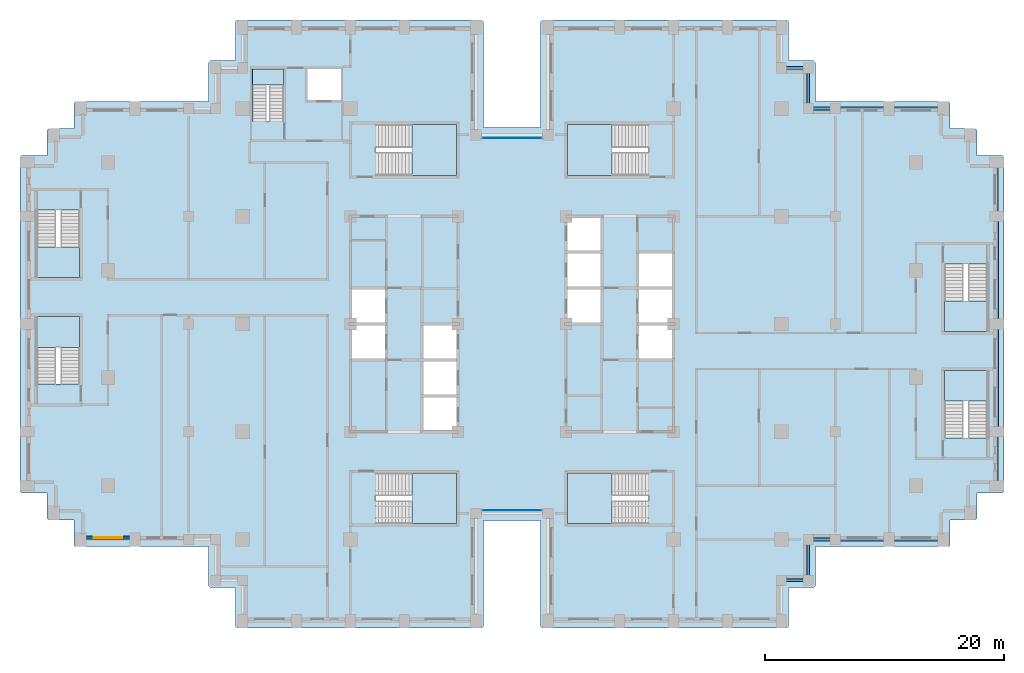
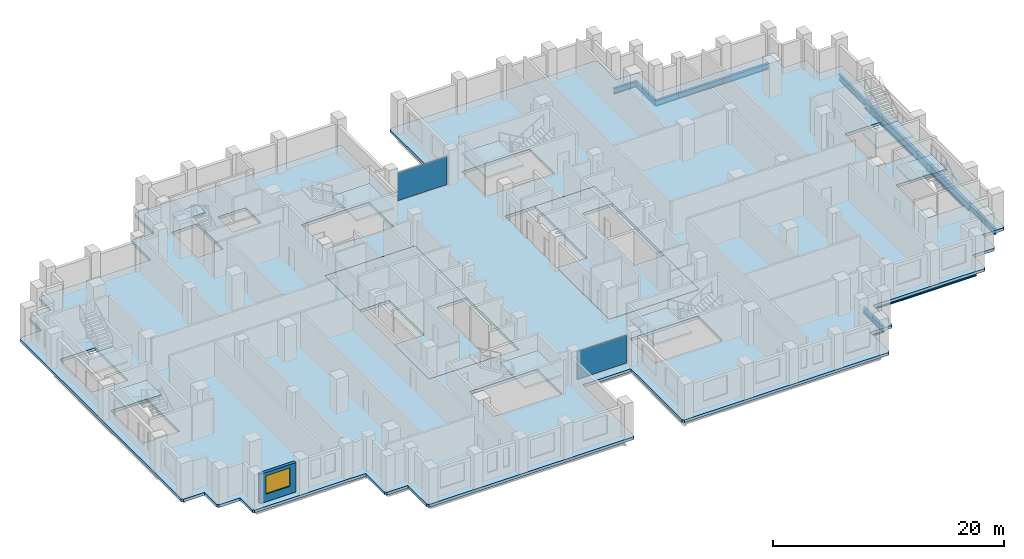
# One storey, part 5 of 16: 14 beams, 12 slabs, 2 plates, 1 wall, 1 window, 1 opening, 11 elements without a shape of their own.
"""IFC4 building model written with IfcOpenShell, lengths in metres."""

from ifc_helpers import new_model, si_unit, direction, frame, frame_2d, origin, origin_2d, place, context, subcontext, project, spatial, polyline, rectangle, i_section, outline, extrude, material, layer, layer_set, material_profile, profile_set, type_object, element, fill, aggregate, save


model = new_model("IFC4")

# Units and contexts
model_context = context("Model", 3, precision=1e-05, world=origin(), true_north=direction((0.0, 1.0)))
body_context = subcontext(model_context, "Body", "Model", "MODEL_VIEW")
ifc_project = project(units=[si_unit("LENGTHUNIT", "METRE"), si_unit("AREAUNIT", "SQUARE_METRE"), si_unit("VOLUMEUNIT", "CUBIC_METRE"), si_unit("PLANEANGLEUNIT", "RADIAN"), si_unit("MASSUNIT", "GRAM", prefix="KILO")], contexts=[model_context])

# Site, building, storey
site_placement = place(None, origin())
site = spatial("IfcSite", under=ifc_project, at=site_placement, CompositionType="ELEMENT")
building_placement = place(site_placement, origin())
building = spatial("IfcBuilding", under=site, at=building_placement, Name="Corbelhall Arena Tower", CompositionType="ELEMENT")
storey_placement = place(building_placement, frame((0.0, 0.0, 104.0)))
storey = spatial("IfcBuildingStorey", under=building, at=storey_placement, Name="L18", CompositionType="ELEMENT", Elevation=104.0)

# Beams
ifc_material_1 = material(Name="Steel ASTM A992 Gr50", Category="steel")
ifc_material_profile_1 = material_profile(ifc_material_1, i_section(OverallWidth=0.23046875, OverallDepth=0.6171875, WebThickness=0.01318359375, FlangeThickness=0.022216796875, at=origin_2d()))
ifc_profile_set_1 = profile_set([ifc_material_profile_1], Name="Steel ASTM A992 Gr50")
beam_type_1 = type_object("IfcBeamType", Name="ST-SPANDREL-W24x94", PredefinedType="SPANDREL", material=ifc_profile_set_1)
for number, where, z_axis, x_axis, name in (
    (1, (40.5, 13.5, -0.608642578125), (0.0, -1.0, 0.0), (1.0, 0.0, 0.0), "Beam SP 10"),
    (2, (40.5, -9.0, -0.608642578125), (0.0, -1.0, 0.0), (1.0, 0.0, 0.0), "Beam SP 11"),
    (3, (31.5, 18.0, -0.608642578125), (1.0, 0.0, 0.0), (0.0, 1.0, 0.0), "Beam SP 12"),
    (4, (31.5, -18.0, -0.608642578125), (-1.0, 0.0, 0.0), (0.0, -1.0, 0.0), "Beam SP 13"),
    (5, (36.0, -18.0, -0.608642578125), (-1.0, 0.0, 0.0), (0.0, -1.0, 0.0), "Beam SP 14"),
    (6, (27.0, 18.0, -0.608642578125), (1.0, 0.0, 0.0), (0.0, 1.0, 0.0), "Beam SP 15"),
):
    element("IfcBeam", number, at=place(storey_placement, frame(where, z_axis=z_axis, x_axis=x_axis)), inside=storey, type_object=beam_type_1, Name=name, PredefinedType="SPANDREL", context=body_context, shape_type="SweptSolid", body=[
        extrude(i_section(OverallWidth=0.23046875, OverallDepth=0.6171875, WebThickness=0.01318359375, FlangeThickness=0.022216796875, at=origin_2d()), origin(), (0.0, 0.0, 1.0), 4.5),
    ])
for number, where, z_axis, x_axis, name in (
    (7, (27.0, -18.0, -0.608642578125), (-1.0, 0.0, 0.0), (0.0, -1.0, 0.0), "Beam SP 16"),
    (8, (22.5, 21.39990234375, -0.608642578125), (1.0, 0.0, 0.0), (0.0, 1.0, 0.0), "Beam SP 43"),
):
    element("IfcBeam", number, at=place(storey_placement, frame(where, z_axis=z_axis, x_axis=x_axis)), inside=storey, type_object=beam_type_1, Name=name, PredefinedType="SPANDREL", context=body_context, shape_type="SweptSolid", body=[
        extrude(i_section(OverallWidth=0.23046875, OverallDepth=0.6171875, WebThickness=0.01318359375, FlangeThickness=0.022216796875, at=origin_2d()), origin(), (0.0, 0.0, 1.0), 2.25),
    ])
beam_1_placement = place(storey_placement, frame((24.75, 21.39990234375, -0.608642578125), z_axis=(0.0, -1.0, 0.0), x_axis=(1.0, 0.0, 0.0)))
element("IfcBeam", 9, at=beam_1_placement, inside=storey, type_object=beam_type_1, Name="Beam SP 44", PredefinedType="SPANDREL", context=body_context, shape_type="SweptSolid", body=[
    extrude(i_section(OverallWidth=0.23046875, OverallDepth=0.6171875, WebThickness=0.01318359375, FlangeThickness=0.022216796875, at=origin_2d()), origin(), (0.0, 0.0, 1.0), 3.39990234375),
])
for number, where, z_axis, x_axis, name in (
    (10, (24.75, 18.0, -0.608642578125), (1.0, 0.0, 0.0), (0.0, 1.0, 0.0), "Beam SP 45"),
    (11, (24.75, -21.39990234375, -0.608642578125), (-1.0, 0.0, 0.0), (0.0, -1.0, 0.0), "Beam SP 50"),
):
    element("IfcBeam", number, at=place(storey_placement, frame(where, z_axis=z_axis, x_axis=x_axis)), inside=storey, type_object=beam_type_1, Name=name, PredefinedType="SPANDREL", context=body_context, shape_type="SweptSolid", body=[
        extrude(i_section(OverallWidth=0.23046875, OverallDepth=0.6171875, WebThickness=0.01318359375, FlangeThickness=0.022216796875, at=origin_2d()), origin(), (0.0, 0.0, 1.0), 2.25),
    ])
beam_2_placement = place(storey_placement, frame((24.75, -18.0, -0.608642578125), z_axis=(0.0, -1.0, 0.0), x_axis=(1.0, 0.0, 0.0)))
element("IfcBeam", 12, at=beam_2_placement, inside=storey, type_object=beam_type_1, Name="Beam SP 51", PredefinedType="SPANDREL", context=body_context, shape_type="SweptSolid", body=[
    extrude(i_section(OverallWidth=0.23046875, OverallDepth=0.6171875, WebThickness=0.01318359375, FlangeThickness=0.022216796875, at=origin_2d()), origin(), (0.0, 0.0, 1.0), 3.39990234375),
])
ifc_material_profile_2 = material_profile(ifc_material_1, i_section(OverallWidth=0.2919921875, OverallDepth=0.845703125, WebThickness=0.015380859375, FlangeThickness=0.0244140625, at=origin_2d()))
ifc_profile_set_2 = profile_set([ifc_material_profile_2], Name="Steel ASTM A992 Gr50")
beam_type_2 = type_object("IfcBeamType", Name="ST-SPANDREL-W33x141", PredefinedType="SPANDREL", material=ifc_profile_set_2)
for number, where, z_axis, x_axis, name in (
    (13, (40.5, 0.0, -0.722900390625), (0.0, -1.0, 0.0), (1.0, 0.0, 0.0), "Beam SP 8"),
    (14, (40.5, 9.0, -0.722900390625), (0.0, -1.0, 0.0), (1.0, 0.0, 0.0), "Beam SP 9"),
):
    element("IfcBeam", number, at=place(storey_placement, frame(where, z_axis=z_axis, x_axis=x_axis)), inside=storey, type_object=beam_type_2, Name=name, PredefinedType="SPANDREL", context=body_context, shape_type="SweptSolid", body=[
        extrude(i_section(OverallWidth=0.2919921875, OverallDepth=0.845703125, WebThickness=0.015380859375, FlangeThickness=0.0244140625, at=origin_2d()), origin(), (0.0, 0.0, 1.0), 9.0),
    ])

# Curtain wall, plate
ifc_material_2 = material(Name="Aluminium black anodised", Category="aluminium")
ifc_layer_1 = layer(ifc_material_2, 0.199951171875)
ifc_layer_set_1 = layer_set([ifc_layer_1], Name="EV-CW1 Slot back wall")
curtain_wall_type = type_object("IfcCurtainWallType", Name="EV-CW1 Slot back wall", PredefinedType="NOTDEFINED", material=ifc_layer_set_1)
curtain_wall_1_placement = place(storey_placement, origin())
curtain_wall_1 = element("IfcCurtainWall", 15, at=curtain_wall_1_placement, inside=storey, type_object=curtain_wall_type, Name="Curtain wall CW1", PredefinedType="NOTDEFINED")
ifc_material_3 = material(Name="Glass dark tinted laminated", Category="glass")
ifc_layer_2 = layer(ifc_material_3, 0.028076171875)
ifc_layer_set_2 = layer_set([ifc_layer_2], Name="EV-CW1-PANEL")
plate_type = type_object("IfcPlateType", Name="EV-CW1-PANEL", PredefinedType="CURTAIN_PANEL", material=ifc_layer_set_2)
plate_1_placement = place(storey_placement, frame((0.0, -15.550048828125, 0.0751953125), z_axis=(0.0, 0.0, 1.0), x_axis=(1.0, 0.0, 0.0)))
plate_1 = element("IfcPlate", 16, at=plate_1_placement, type_object=plate_type, Name="CW1 panel 1.1", PredefinedType="CURTAIN_PANEL", context=body_context, shape_type="SweptSolid", body=[
    extrude(rectangle(XDim=4.949951171875, YDim=0.028076171875, at=origin_2d()), origin(), (0.0, 0.0, 1.0), 2.949951171875),
])
aggregate(curtain_wall_1, [plate_1])

curtain_wall_2_placement = place(storey_placement, origin())
curtain_wall_2 = element("IfcCurtainWall", 17, at=curtain_wall_2_placement, inside=storey, type_object=curtain_wall_type, Name="Curtain wall CW1", PredefinedType="NOTDEFINED")
plate_2_placement = place(storey_placement, frame((0.0, 15.550048828125, 0.0751953125), z_axis=(0.0, 0.0, 1.0), x_axis=(-1.0, 0.0, 0.0)))
plate_2 = element("IfcPlate", 18, at=plate_2_placement, type_object=plate_type, Name="CW1 panel 1.1", PredefinedType="CURTAIN_PANEL", context=body_context, shape_type="SweptSolid", body=[
    extrude(rectangle(XDim=4.949951171875, YDim=0.028076171875, at=origin_2d()), origin(), (0.0, 0.0, 1.0), 2.949951171875),
])
aggregate(curtain_wall_2, [plate_2])

# Slabs
ifc_material_4 = material(Name="Concrete C40/50", Category="concrete")
ifc_layer_3 = layer(ifc_material_4, 0.300048828125)
ifc_layer_set_3 = layer_set([ifc_layer_3], Name="IN-SL-CORE")
slab_type_1 = type_object("IfcSlabType", Name="IN-SL-CORE", PredefinedType="FLOOR", material=ifc_layer_set_3)
slab_1_placement = place(storey_placement, frame((0.0, 0.0, -0.300048828125)))
element("IfcSlab", 19, at=slab_1_placement, inside=storey, type_object=slab_type_1, Name="Core floor W", PredefinedType="FLOOR", context=body_context, shape_type="SweptSolid", body=[
    extrude(outline(polyline([(-7.5, 0.0), (-4.5, 0.0), (-4.5, 9.0), (-13.5, 9.0), (-13.5, 3.0), (-10.5, 3.0), (-10.5, 0.0), (-10.5, -3.0), (-13.5, -3.0), (-13.5, -9.0), (-7.5, -9.0), (-7.5, -6.0), (-7.5, -3.0), (-7.5, 0.0)])), origin(), (0.0, 0.0, 1.0), 0.300048828125),
])
slab_2_placement = place(storey_placement, frame((0.0, 0.0, -0.300048828125)))
element("IfcSlab", 20, at=slab_2_placement, inside=storey, type_object=slab_type_1, Name="Core floor E", PredefinedType="FLOOR", context=body_context, shape_type="SweptSolid", body=[
    extrude(outline(polyline([(7.5, 0.0), (4.5, 0.0), (4.5, -9.0), (13.5, -9.0), (13.5, -3.0), (10.5, -3.0), (10.5, 0.0), (10.5, 3.0), (10.5, 6.0), (13.5, 6.0), (13.5, 9.0), (7.5, 9.0), (7.5, 6.0), (7.5, 3.0), (7.5, 0.0)])), origin(), (0.0, 0.0, 1.0), 0.300048828125),
])

# Stair, slab
stair_type = type_object("IfcStairType", Name="IN-ST-TOWER", PredefinedType="HALF_TURN_STAIR", material=ifc_material_4)
stair_1_placement = place(storey_placement, origin())
stair_1 = element("IfcStair", 21, at=stair_1_placement, inside=storey, type_object=stair_type, Name="L18 Exit stair ST1", PredefinedType="HALF_TURN_STAIR")
ifc_layer_4 = layer(ifc_material_4, 0.199951171875)
ifc_layer_set_4 = layer_set([ifc_layer_4], Name="IN-SL-LANDING")
slab_type_2 = type_object("IfcSlabType", Name="IN-SL-LANDING", PredefinedType="LANDING", material=ifc_layer_set_4)
slab_3_placement = place(storey_placement, frame((0.0, 0.0, 1.800048828125)))
slab_3 = element("IfcSlab", 22, at=slab_3_placement, type_object=slab_type_2, Name="ST1 landing 1", PredefinedType="LANDING", context=body_context, shape_type="SweptSolid", body=[
    extrude(outline(polyline([(-8.344970703125, 12.425048828125), (-4.625, 12.425048828125), (-4.625, 16.675048828125), (-8.344970703125, 16.675048828125), (-8.344970703125, 12.425048828125)])), origin(), (0.0, 0.0, 1.0), 0.199951171875),
])
aggregate(stair_1, [slab_3])

stair_2_placement = place(storey_placement, origin())
stair_2 = element("IfcStair", 23, at=stair_2_placement, inside=storey, type_object=stair_type, Name="L18 Exit stair ST2", PredefinedType="HALF_TURN_STAIR")
slab_4_placement = place(storey_placement, frame((0.0, 0.0, 1.800048828125)))
slab_4 = element("IfcSlab", 24, at=slab_4_placement, type_object=slab_type_2, Name="ST2 landing 1", PredefinedType="LANDING", context=body_context, shape_type="SweptSolid", body=[
    extrude(outline(polyline([(-8.344970703125, -16.675048828125), (-4.625, -16.675048828125), (-4.625, -12.425048828125), (-8.344970703125, -12.425048828125), (-8.344970703125, -16.675048828125)])), origin(), (0.0, 0.0, 1.0), 0.199951171875),
])
aggregate(stair_2, [slab_4])

stair_3_placement = place(storey_placement, origin())
stair_3 = element("IfcStair", 25, at=stair_3_placement, inside=storey, type_object=stair_type, Name="L18 Exit stair ST3", PredefinedType="HALF_TURN_STAIR")
slab_5_placement = place(storey_placement, frame((0.0, 0.0, 1.800048828125)))
slab_5 = element("IfcSlab", 26, at=slab_5_placement, type_object=slab_type_2, Name="ST3 landing 1", PredefinedType="LANDING", context=body_context, shape_type="SweptSolid", body=[
    extrude(outline(polyline([(8.344970703125, 16.675048828125), (4.625, 16.675048828125), (4.625, 12.425048828125), (8.344970703125, 12.425048828125), (8.344970703125, 16.675048828125)])), origin(), (0.0, 0.0, 1.0), 0.199951171875),
])
aggregate(stair_3, [slab_5])

stair_4_placement = place(storey_placement, origin())
stair_4 = element("IfcStair", 27, at=stair_4_placement, inside=storey, type_object=stair_type, Name="L18 Exit stair ST4", PredefinedType="HALF_TURN_STAIR")
slab_6_placement = place(storey_placement, frame((0.0, 0.0, 1.800048828125)))
slab_6 = element("IfcSlab", 28, at=slab_6_placement, type_object=slab_type_2, Name="ST4 landing 1", PredefinedType="LANDING", context=body_context, shape_type="SweptSolid", body=[
    extrude(outline(polyline([(8.344970703125, -12.425048828125), (4.625, -12.425048828125), (4.625, -16.675048828125), (8.344970703125, -16.675048828125), (8.344970703125, -12.425048828125)])), origin(), (0.0, 0.0, 1.0), 0.199951171875),
])
aggregate(stair_4, [slab_6])

stair_5_placement = place(storey_placement, origin())
stair_5 = element("IfcStair", 29, at=stair_5_placement, inside=storey, type_object=stair_type, Name="L18 Exit stair SC1", PredefinedType="HALF_TURN_STAIR")
slab_7_placement = place(storey_placement, frame((0.0, 0.0, 1.800048828125)))
slab_7 = element("IfcSlab", 30, at=slab_7_placement, type_object=slab_type_2, Name="SC1 landing 1", PredefinedType="LANDING", context=body_context, shape_type="SweptSolid", body=[
    extrude(outline(polyline([(-39.699951171875, 6.445068359375), (-39.699951171875, 3.875), (-36.125, 3.875), (-36.125, 6.445068359375), (-39.699951171875, 6.445068359375)])), origin(), (0.0, 0.0, 1.0), 0.199951171875),
])
aggregate(stair_5, [slab_7])

stair_6_placement = place(storey_placement, origin())
stair_6 = element("IfcStair", 31, at=stair_6_placement, inside=storey, type_object=stair_type, Name="L18 Exit stair SC2", PredefinedType="HALF_TURN_STAIR")
slab_8_placement = place(storey_placement, frame((0.0, 0.0, 1.800048828125)))
slab_8 = element("IfcSlab", 32, at=slab_8_placement, type_object=slab_type_2, Name="SC2 landing 1", PredefinedType="LANDING", context=body_context, shape_type="SweptSolid", body=[
    extrude(outline(polyline([(-36.125, -1.945068359375), (-36.125, 0.625), (-39.699951171875, 0.625), (-39.699951171875, -1.945068359375), (-36.125, -1.945068359375)])), origin(), (0.0, 0.0, 1.0), 0.199951171875),
])
aggregate(stair_6, [slab_8])

stair_7_placement = place(storey_placement, origin())
stair_7 = element("IfcStair", 33, at=stair_7_placement, inside=storey, type_object=stair_type, Name="L18 Exit stair SD1", PredefinedType="HALF_TURN_STAIR")
slab_9_placement = place(storey_placement, frame((0.0, 0.0, 1.800048828125)))
slab_9 = element("IfcSlab", 34, at=slab_9_placement, type_object=slab_type_2, Name="SD1 landing 1", PredefinedType="LANDING", context=body_context, shape_type="SweptSolid", body=[
    extrude(outline(polyline([(39.699951171875, -6.445068359375), (39.699951171875, -3.875), (36.125, -3.875), (36.125, -6.445068359375), (39.699951171875, -6.445068359375)])), origin(), (0.0, 0.0, 1.0), 0.199951171875),
])
aggregate(stair_7, [slab_9])

stair_8_placement = place(storey_placement, origin())
stair_8 = element("IfcStair", 35, at=stair_8_placement, inside=storey, type_object=stair_type, Name="L18 Exit stair SD2", PredefinedType="HALF_TURN_STAIR")
slab_10_placement = place(storey_placement, frame((0.0, 0.0, 1.800048828125)))
slab_10 = element("IfcSlab", 36, at=slab_10_placement, type_object=slab_type_2, Name="SD2 landing 1", PredefinedType="LANDING", context=body_context, shape_type="SweptSolid", body=[
    extrude(outline(polyline([(36.125, 1.945068359375), (36.125, -0.625), (39.699951171875, -0.625), (39.699951171875, 1.945068359375), (36.125, 1.945068359375)])), origin(), (0.0, 0.0, 1.0), 0.199951171875),
])
aggregate(stair_8, [slab_10])

stair_9_placement = place(storey_placement, origin())
stair_9 = element("IfcStair", 37, at=stair_9_placement, inside=storey, type_object=stair_type, Name="L18 Exit stair ST5", PredefinedType="HALF_TURN_STAIR")
slab_11_placement = place(storey_placement, frame((0.0, 0.0, 1.800048828125)))
slab_11 = element("IfcSlab", 38, at=slab_11_placement, type_object=slab_type_2, Name="ST5 landing 1", PredefinedType="LANDING", context=body_context, shape_type="SweptSolid", body=[
    extrude(outline(polyline([(-19.094970703125, 19.97998046875), (-19.094970703125, 21.300048828125), (-21.695068359375, 21.300048828125), (-21.695068359375, 19.97998046875), (-19.094970703125, 19.97998046875)])), origin(), (0.0, 0.0, 1.0), 0.199951171875),
])
aggregate(stair_9, [slab_11])

# Slab
ifc_layer_5 = layer(ifc_material_4, 0.300048828125)
ifc_layer_set_5 = layer_set([ifc_layer_5], Name="ST-SLAB-FLOOR-300")
slab_type_3 = type_object("IfcSlabType", Name="ST-SLAB-FLOOR-300", PredefinedType="FLOOR", material=ifc_layer_set_5)
slab_12_placement = place(storey_placement, frame((0.0, 0.0, -0.300048828125)))
element("IfcSlab", 39, at=slab_12_placement, inside=storey, type_object=slab_type_3, Name="Floor slab L18 1", PredefinedType="FLOOR", context=body_context, shape_type="SweptSolid", body=[
    extrude(outline(polyline([(25.35009765625, 18.60009765625), (25.35009765625, 21.85009765625), (25.199951171875, 22.0), (23.10009765625, 22.0), (23.10009765625, 25.25), (22.949951171875, 25.39990234375), (2.550048828125, 25.39990234375), (2.39990234375, 25.25), (2.39990234375, 16.39990234375), (-2.39990234375, 16.39990234375), (-2.39990234375, 25.25), (-2.550048828125, 25.39990234375), (-22.949951171875, 25.39990234375), (-23.10009765625, 25.25), (-23.10009765625, 22.0), (-25.199951171875, 22.0), (-25.35009765625, 21.85009765625), (-25.35009765625, 18.60009765625), (-36.449951171875, 18.60009765625), (-36.60009765625, 18.449951171875), (-36.60009765625, 16.35009765625), (-38.699951171875, 16.35009765625), (-38.85009765625, 16.199951171875), (-38.85009765625, 14.10009765625), (-40.949951171875, 14.10009765625), (-41.10009765625, 13.949951171875), (-41.10009765625, -13.949951171875), (-40.949951171875, -14.10009765625), (-38.85009765625, -14.10009765625), (-38.85009765625, -16.199951171875), (-38.699951171875, -16.35009765625), (-36.60009765625, -16.35009765625), (-36.60009765625, -18.449951171875), (-36.449951171875, -18.60009765625), (-25.35009765625, -18.60009765625), (-25.35009765625, -21.85009765625), (-25.199951171875, -22.0), (-23.10009765625, -22.0), (-23.10009765625, -25.25), (-22.949951171875, -25.39990234375), (-2.550048828125, -25.39990234375), (-2.39990234375, -25.25), (-2.39990234375, -16.39990234375), (2.39990234375, -16.39990234375), (2.39990234375, -25.25), (2.550048828125, -25.39990234375), (22.949951171875, -25.39990234375), (23.10009765625, -25.25), (23.10009765625, -22.0), (25.199951171875, -22.0), (25.35009765625, -21.85009765625), (25.35009765625, -18.60009765625), (36.449951171875, -18.60009765625), (36.60009765625, -18.449951171875), (36.60009765625, -16.35009765625), (38.699951171875, -16.35009765625), (38.85009765625, -16.199951171875), (38.85009765625, -14.10009765625), (40.949951171875, -14.10009765625), (41.10009765625, -13.949951171875), (41.10009765625, 13.949951171875), (40.949951171875, 14.10009765625), (38.85009765625, 14.10009765625), (38.85009765625, 16.199951171875), (38.699951171875, 16.35009765625), (36.60009765625, 16.35009765625), (36.60009765625, 18.449951171875), (36.449951171875, 18.60009765625), (25.35009765625, 18.60009765625)]), holes=[polyline([(-13.5, 9.0), (-13.5, -9.0), (-4.5, -9.0), (-4.5, 9.0), (-13.5, 9.0)]), polyline([(4.5, 9.0), (4.5, -9.0), (13.5, -9.0), (13.5, 9.0), (4.5, 9.0)]), polyline([(-4.625, 16.675048828125), (-11.422119140625, 16.675048828125), (-11.422119140625, 12.425048828125), (-4.625, 12.425048828125), (-4.625, 16.675048828125)]), polyline([(-4.625, -16.675048828125), (-4.625, -12.425048828125), (-11.422119140625, -12.425048828125), (-11.422119140625, -16.675048828125), (-4.625, -16.675048828125)]), polyline([(11.422119140625, 16.675048828125), (4.625, 16.675048828125), (4.625, 12.425048828125), (11.422119140625, 12.425048828125), (11.422119140625, 16.675048828125)]), polyline([(11.422119140625, -16.675048828125), (11.422119140625, -12.425048828125), (4.625, -12.425048828125), (4.625, -16.675048828125), (11.422119140625, -16.675048828125)]), polyline([(-36.125, 3.875), (-36.125, 9.52197265625), (-39.699951171875, 9.52197265625), (-39.699951171875, 3.875), (-36.125, 3.875)]), polyline([(-36.125, 0.625), (-39.699951171875, 0.625), (-39.699951171875, -5.02197265625), (-36.125, -5.02197265625), (-36.125, 0.625)]), polyline([(39.699951171875, -9.52197265625), (39.699951171875, -3.875), (36.125, -3.875), (36.125, -9.52197265625), (39.699951171875, -9.52197265625)]), polyline([(39.699951171875, 5.02197265625), (36.125, 5.02197265625), (36.125, -0.625), (39.699951171875, -0.625), (39.699951171875, 5.02197265625)]), polyline([(-21.695068359375, 21.300048828125), (-21.695068359375, 16.903076171875), (-19.094970703125, 16.903076171875), (-19.094970703125, 21.300048828125), (-21.695068359375, 21.300048828125)]), polyline([(-14.300048828125, 21.300048828125), (-17.10009765625, 21.300048828125), (-17.10009765625, 18.699951171875), (-14.300048828125, 18.699951171875), (-14.300048828125, 21.300048828125)])]), origin(), (0.0, 0.0, 1.0), 0.300048828125),
])

# Wall, opening, window
ifc_material_5 = material(Name="Precast concrete C40/50 with granite facing", Category="masonry")
ifc_layer_6 = layer(ifc_material_5, 0.300048828125)
ifc_layer_set_6 = layer_set([ifc_layer_6], Name="EV-IW1 Infill panel 300")
wall_type = type_object("IfcWallType", Name="EV-IW1 Infill panel 300", PredefinedType="SOLIDWALL", material=ifc_layer_set_6)
wall_placement = place(storey_placement, frame((-35.550048828125, -17.85009765625, 0.0), z_axis=(0.0, 0.0, 1.0), x_axis=(1.0, 0.0, 0.0)))
wall = element("IfcWall", 40, at=wall_placement, inside=storey, type_object=wall_type, Name="Infill panel IW1", PredefinedType="SOLIDWALL", context=body_context, shape_type="SweptSolid", body=[
    extrude(rectangle(XDim=3.60009765625, YDim=0.300048828125, at=frame_2d((1.800048828125, 0.0))), origin(), (0.0, 0.0, 1.0), 3.10009765625),
])
opening_placement = place(wall_placement, frame((0.60009765625, 0.0, 0.800048828125)))
opening = element("IfcOpeningElement", 41, at=opening_placement, cuts=wall, Name="Opening WN1", PredefinedType="OPENING", context=body_context, shape_type="SweptSolid", body=[
    extrude(rectangle(XDim=2.39990234375, YDim=1.949951171875, at=frame_2d((1.199951171875, 0.97509765625))), frame((0.0, 0.14990234375, 0.0), z_axis=(0.0, -1.0, 0.0), x_axis=(1.0, 0.0, 0.0)), (0.0, 0.0, 1.0), 0.300048828125),
])
window_type = type_object("IfcWindowType", Name="EV-WN1 Office window", PartitioningType="SINGLE_PANEL", PredefinedType="WINDOW", material=ifc_material_2)
window_placement = place(opening_placement, origin())
window = element("IfcWindow", 42, at=window_placement, inside=storey, type_object=window_type, Name="Window WN1", OverallHeight=1.949951171875, OverallWidth=2.39990234375, PartitioningType="SINGLE_PANEL", PredefinedType="WINDOW", context=body_context, shape_type="SweptSolid", body=[
    extrude(rectangle(XDim=2.39990234375, YDim=1.949951171875, at=frame_2d((1.199951171875, 0.97509765625))), frame((0.0, 0.030029296875, 0.0), z_axis=(0.0, -1.0, 0.0), x_axis=(1.0, 0.0, 0.0)), (0.0, 0.0, 1.0), 0.06005859375),
])
fill(opening, window)

save(model, "model.ifc")
